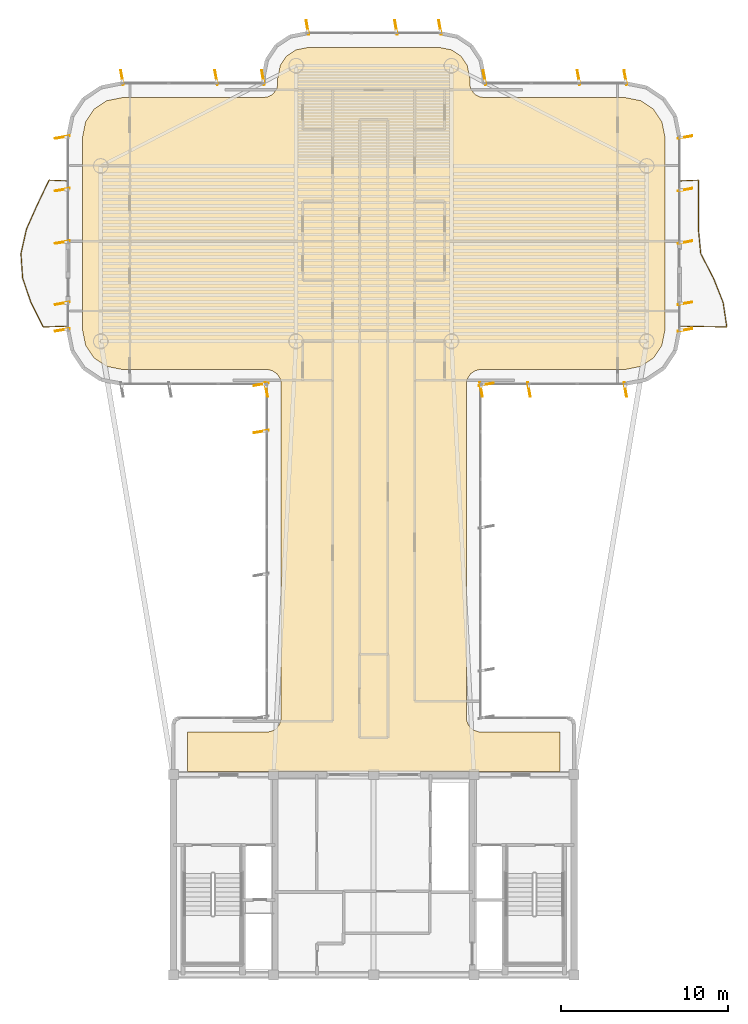
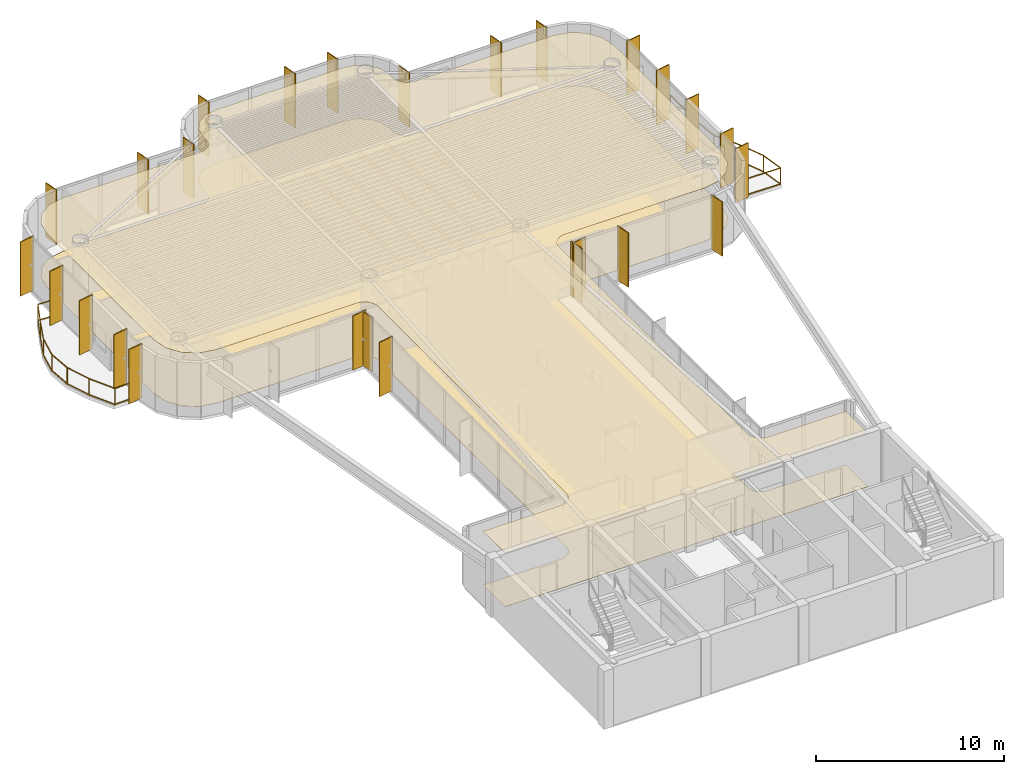
# One storey, part 16 of 16: 26 shading devices, 2 coverings, 2 railings.
"""IFC4 building model written with IfcOpenShell, lengths in metres."""

from ifc_helpers import new_model, si_unit, direction, frame, origin, origin_2d, place, context, subcontext, project, spatial, polyline, rectangle, outline, extrude, source, transform, mapped, material, layer, layer_set, material_profile, profile_set, type_object, element, save


model = new_model("IFC4")

# Units and contexts
model_context = context("Model", 3, precision=1e-05, world=origin(), true_north=direction((0.0, 1.0)))
body_context = subcontext(model_context, "Body", "Model", "MODEL_VIEW")
ifc_project = project(units=[si_unit("LENGTHUNIT", "METRE"), si_unit("AREAUNIT", "SQUARE_METRE"), si_unit("VOLUMEUNIT", "CUBIC_METRE"), si_unit("PLANEANGLEUNIT", "RADIAN"), si_unit("MASSUNIT", "GRAM", prefix="KILO")], contexts=[model_context])

# Site, building, storey
site_placement = place(None, origin())
site = spatial("IfcSite", under=ifc_project, at=site_placement, CompositionType="ELEMENT")
building_placement = place(site_placement, origin())
building = spatial("IfcBuilding", under=site, at=building_placement, Name="Brelvock Crest Care Tower", CompositionType="ELEMENT")
storey_placement = place(building_placement, frame((0.0, 0.0, 226.800048828125)))
storey = spatial("IfcBuildingStorey", under=building, at=storey_placement, Name="L57", CompositionType="ELEMENT", Elevation=226.800048828125)

# Coverings
ifc_material_1 = material(Name="Mineral Fibre Acoustic Ceiling Tile", Category="gypsum")
ifc_layer_1 = layer(ifc_material_1, 0.02490234375, Name="COV-CLG1")
ifc_layer_set_1 = layer_set([ifc_layer_1], Name="Mineral Fibre Acoustic Ceiling Tile")
covering_type_1 = type_object("IfcCoveringType", Name="COV-CLG1", PredefinedType="CEILING", material=ifc_layer_set_1)
covering_1_placement = place(storey_placement, frame((0.0, 0.0, 3.474853515625)))
element("IfcCovering", 1, at=covering_1_placement, inside=storey, type_object=covering_type_1, Name="L57 Acoustic Suspended Ceiling 1", PredefinedType="CEILING", context=body_context, shape_type="SweptSolid", body=[
    extrude(outline(polyline([(24.85009765625, 18.199951171875), (47.14990234375, 18.199951171875), (47.14990234375, 20.550048828125), (42.316650390625, 20.55419921875), (41.999267578125, 20.650390625), (41.799072265625, 20.799072265625), (41.650390625, 20.999267578125), (41.56640625, 21.234130859375), (41.55419921875, 41.4833984375), (41.61474609375, 41.725341796875), (41.799072265625, 42.0009765625), (42.07470703125, 42.185302734375), (42.316650390625, 42.245849609375), (51.016357421875, 42.25), (51.992919921875, 42.4443359375), (52.75, 42.9501953125), (53.255615234375, 43.70703125), (53.449951171875, 44.68359375), (53.449951171875, 56.1162109375), (53.255615234375, 57.093017578125), (52.75, 57.849853515625), (51.992919921875, 58.355712890625), (51.016357421875, 58.550048828125), (42.60009765625, 58.550048828125), (42.353271484375, 58.586669921875), (42.127685546875, 58.693359375), (41.9990234375, 58.799072265625), (41.814697265625, 59.07470703125), (41.754150390625, 59.316650390625), (41.75, 59.71630859375), (41.601318359375, 60.46337890625), (41.2255859375, 61.025634765625), (40.663330078125, 61.4013671875), (39.916259765625, 61.550048828125), (32.083740234375, 61.550048828125), (31.336669921875, 61.4013671875), (30.7744140625, 61.025634765625), (30.398681640625, 60.46337890625), (30.25, 59.71630859375), (30.245849609375, 59.316650390625), (30.185302734375, 59.07470703125), (30.0009765625, 58.799072265625), (29.872314453125, 58.693359375), (29.646728515625, 58.586669921875), (29.39990234375, 58.550048828125), (20.983642578125, 58.550048828125), (20.007080078125, 58.355712890625), (19.25, 57.849853515625), (18.744384765625, 57.093017578125), (18.550048828125, 56.1162109375), (18.550048828125, 44.68359375), (18.744384765625, 43.70703125), (19.25, 42.9501953125), (20.007080078125, 42.4443359375), (20.983642578125, 42.25), (29.683349609375, 42.245849609375), (29.92529296875, 42.185302734375), (30.200927734375, 42.0009765625), (30.349609375, 41.80078125), (30.43359375, 41.56591796875), (30.449951171875, 21.39990234375), (30.413330078125, 21.1533203125), (30.306640625, 20.927734375), (30.13916015625, 20.742919921875), (29.92529296875, 20.61474609375), (29.683349609375, 20.55419921875), (24.85009765625, 20.550048828125), (24.85009765625, 18.199951171875)])), origin(), (0.0, 0.0, 1.0), 0.025146484375),
])
ifc_material_2 = material(Name="Slip-Resistant Acoustic Vinyl Flooring", Category="finish")
ifc_layer_2 = layer(ifc_material_2, 0.014892578125, Name="COV-FLR1")
ifc_layer_set_2 = layer_set([ifc_layer_2], Name="Slip-Resistant Acoustic Vinyl Flooring")
covering_type_2 = type_object("IfcCoveringType", Name="COV-FLR1", PredefinedType="FLOORING", material=ifc_layer_set_2)
covering_2_placement = place(storey_placement, origin())
element("IfcCovering", 2, at=covering_2_placement, inside=storey, type_object=covering_type_2, Name="L57 Slip-Resistant Acoustic Flooring 1", PredefinedType="FLOORING", context=body_context, shape_type="SweptSolid", body=[
    extrude(outline(polyline([(24.85009765625, 18.199951171875), (47.14990234375, 18.199951171875), (47.14990234375, 20.550048828125), (42.316650390625, 20.55419921875), (41.999267578125, 20.650390625), (41.799072265625, 20.799072265625), (41.650390625, 20.999267578125), (41.56640625, 21.234130859375), (41.55419921875, 41.4833984375), (41.61474609375, 41.725341796875), (41.799072265625, 42.0009765625), (42.07470703125, 42.185302734375), (42.316650390625, 42.245849609375), (51.016357421875, 42.25), (51.992919921875, 42.4443359375), (52.75, 42.9501953125), (53.255615234375, 43.70703125), (53.449951171875, 44.68359375), (53.449951171875, 56.1162109375), (53.255615234375, 57.093017578125), (52.75, 57.849853515625), (51.992919921875, 58.355712890625), (51.016357421875, 58.550048828125), (42.60009765625, 58.550048828125), (42.353271484375, 58.586669921875), (42.127685546875, 58.693359375), (41.9990234375, 58.799072265625), (41.814697265625, 59.07470703125), (41.754150390625, 59.316650390625), (41.75, 59.71630859375), (41.601318359375, 60.46337890625), (41.2255859375, 61.025634765625), (40.663330078125, 61.4013671875), (39.916259765625, 61.550048828125), (32.083740234375, 61.550048828125), (31.336669921875, 61.4013671875), (30.7744140625, 61.025634765625), (30.398681640625, 60.46337890625), (30.25, 59.71630859375), (30.245849609375, 59.316650390625), (30.185302734375, 59.07470703125), (30.0009765625, 58.799072265625), (29.872314453125, 58.693359375), (29.646728515625, 58.586669921875), (29.39990234375, 58.550048828125), (20.983642578125, 58.550048828125), (20.007080078125, 58.355712890625), (19.25, 57.849853515625), (18.744384765625, 57.093017578125), (18.550048828125, 56.1162109375), (18.550048828125, 44.68359375), (18.744384765625, 43.70703125), (19.25, 42.9501953125), (20.007080078125, 42.4443359375), (20.983642578125, 42.25), (29.683349609375, 42.245849609375), (29.92529296875, 42.185302734375), (30.200927734375, 42.0009765625), (30.349609375, 41.80078125), (30.43359375, 41.56591796875), (30.449951171875, 21.39990234375), (30.413330078125, 21.1533203125), (30.306640625, 20.927734375), (30.13916015625, 20.742919921875), (29.92529296875, 20.61474609375), (29.683349609375, 20.55419921875), (24.85009765625, 20.550048828125), (24.85009765625, 18.199951171875)])), origin(), (0.0, 0.0, 1.0), 0.014892578125),
])

# Railings
ifc_material_3 = material(Name="Dark Glass Double Glazed Low-E", Category="glass")
ifc_layer_3 = layer(ifc_material_3, 0.06005859375, Name="RL-BAL1")
ifc_layer_set_3 = layer_set([ifc_layer_3], Name="Dark Glass Double Glazed Low-E")
railing_type = type_object("IfcRailingType", Name="RL-BAL1", PredefinedType="BALUSTRADE", material=ifc_layer_set_3)
railing_1_placement = place(storey_placement, frame((17.659912109375, 44.85009765625, 0.00390625)))
element("IfcRailing", 3, at=railing_1_placement, inside=storey, type_object=railing_type, Name="L57 Safety Balustrade WB-W", PredefinedType="BALUSTRADE", context=body_context, shape_type="SweptSolid", body=[
    extrude(rectangle(XDim=0.048095703125, YDim=0.048095703125, at=origin_2d()), frame((-0.001953125, 0.0, 1.09619140625), z_axis=(-0.999404799616, -0.034497050669, 0.0), x_axis=(0.034497050669, -0.999404799616, 0.0)), (0.0, 0.0, 1.0), 1.44677734375),
    extrude(rectangle(XDim=0.048095703125, YDim=0.048095703125, at=origin_2d()), frame((-0.001953125, 0.0, 0.054931640625), z_axis=(-0.999404799616, -0.034497050669, 0.0), x_axis=(0.034497050669, -0.999404799616, 0.0)), (0.0, 0.0, 1.0), 1.44677734375),
    extrude(rectangle(XDim=0.048095703125, YDim=0.048095703125, at=origin_2d()), frame((-1.450927734375, -0.04833984375, 1.09619140625), z_axis=(-0.448225238773, 0.893920653821, 0.0), x_axis=(-0.893920653821, -0.448225238773, 0.0)), (0.0, 0.0, 1.0), 1.636474609375),
    extrude(rectangle(XDim=0.048095703125, YDim=0.048095703125, at=origin_2d()), frame((-1.450927734375, -0.04833984375, 0.054931640625), z_axis=(-0.448225238773, 0.893920653821, 0.0), x_axis=(-0.893920653821, -0.448225238773, 0.0)), (0.0, 0.0, 1.0), 1.636474609375),
    extrude(rectangle(XDim=0.048095703125, YDim=0.048095703125, at=origin_2d()), frame((-2.18603515625, 1.41845703125, 1.09619140625), z_axis=(-0.321377111723, 0.946951293394, 0.0), x_axis=(-0.946951293394, -0.321377111723, 0.0)), (0.0, 0.0, 1.0), 1.544921875),
    extrude(rectangle(XDim=0.048095703125, YDim=0.048095703125, at=origin_2d()), frame((-2.18603515625, 1.41845703125, 0.054931640625), z_axis=(-0.321377111723, 0.946951293394, 0.0), x_axis=(-0.946951293394, -0.321377111723, 0.0)), (0.0, 0.0, 1.0), 1.544921875),
    extrude(rectangle(XDim=0.048095703125, YDim=0.048095703125, at=origin_2d()), frame((-2.683349609375, 2.88525390625, 1.09619140625), z_axis=(-0.068095275072, 0.997678822825, 0.0), x_axis=(-0.997678822825, -0.068095275072, 0.0)), (0.0, 0.0, 1.0), 1.466064453125),
    extrude(rectangle(XDim=0.048095703125, YDim=0.048095703125, at=origin_2d()), frame((-2.683349609375, 2.88525390625, 0.054931640625), z_axis=(-0.068095275072, 0.997678822825, 0.0), x_axis=(-0.997678822825, -0.068095275072, 0.0)), (0.0, 0.0, 1.0), 1.466064453125),
    extrude(rectangle(XDim=0.048095703125, YDim=0.048095703125, at=origin_2d()), frame((-2.78271484375, 4.351806640625, 1.09619140625), z_axis=(0.219543106889, 0.975602800435, 0.0), x_axis=(-0.975602800435, 0.219543106889, 0.0)), (0.0, 0.0, 1.0), 1.49951171875),
    extrude(rectangle(XDim=0.048095703125, YDim=0.048095703125, at=origin_2d()), frame((-2.78271484375, 4.351806640625, 0.054931640625), z_axis=(0.219543106889, 0.975602800435, 0.0), x_axis=(-0.975602800435, 0.219543106889, 0.0)), (0.0, 0.0, 1.0), 1.49951171875),
    extrude(rectangle(XDim=0.048095703125, YDim=0.048095703125, at=origin_2d()), frame((-2.452392578125, 5.818359375, 1.09619140625), z_axis=(0.407182153329, 0.913346973505, 0.0), x_axis=(-0.913346973505, 0.407182153329, 0.0)), (0.0, 0.0, 1.0), 1.601806640625),
    extrude(rectangle(XDim=0.048095703125, YDim=0.048095703125, at=origin_2d()), frame((-2.452392578125, 5.818359375, 0.054931640625), z_axis=(0.407182153329, 0.913346973505, 0.0), x_axis=(-0.913346973505, 0.407182153329, 0.0)), (0.0, 0.0, 1.0), 1.601806640625),
    extrude(rectangle(XDim=0.048095703125, YDim=0.048095703125, at=origin_2d()), frame((-1.79833984375, 7.284912109375, 1.09619140625), z_axis=(0.430429214624, 0.902624335589, 0.0), x_axis=(-0.902624335589, 0.430429214624, 0.0)), (0.0, 0.0, 1.0), 1.62109375),
    extrude(rectangle(XDim=0.048095703125, YDim=0.048095703125, at=origin_2d()), frame((-1.79833984375, 7.284912109375, 0.054931640625), z_axis=(0.430429214624, 0.902624335589, 0.0), x_axis=(-0.902624335589, 0.430429214624, 0.0)), (0.0, 0.0, 1.0), 1.62109375),
    extrude(rectangle(XDim=0.048095703125, YDim=0.048095703125, at=origin_2d()), frame((-1.097900390625, 8.75, 1.09619140625), z_axis=(0.998966252902, -0.045457953795, 0.0), x_axis=(0.045457953795, 0.998966252902, 0.0)), (0.0, 0.0, 1.0), 1.096923828125),
    extrude(rectangle(XDim=0.048095703125, YDim=0.048095703125, at=origin_2d()), frame((-1.097900390625, 8.75, 0.054931640625), z_axis=(0.998966252902, -0.045457953795, 0.0), x_axis=(0.045457953795, 0.998966252902, 0.0)), (0.0, 0.0, 1.0), 1.096923828125),
    extrude(rectangle(XDim=0.0419921875, YDim=0.0419921875, at=origin_2d()), origin(), (0.0, 0.0, 1.0), 1.070068359375),
    extrude(rectangle(XDim=0.0419921875, YDim=0.0419921875, at=origin_2d()), frame((-1.449951171875, -0.050048828125, 0.0)), (0.0, 0.0, 1.0), 1.070068359375),
    extrude(rectangle(XDim=0.0419921875, YDim=0.0419921875, at=origin_2d()), frame((-2.185302734375, 1.41650390625, 0.0)), (0.0, 0.0, 1.0), 1.070068359375),
    extrude(rectangle(XDim=0.0419921875, YDim=0.0419921875, at=origin_2d()), frame((-2.68310546875, 2.88330078125, 0.0)), (0.0, 0.0, 1.0), 1.070068359375),
    extrude(rectangle(XDim=0.0419921875, YDim=0.0419921875, at=origin_2d()), frame((-2.783203125, 4.349853515625, 0.0)), (0.0, 0.0, 1.0), 1.070068359375),
    extrude(rectangle(XDim=0.0419921875, YDim=0.0419921875, at=origin_2d()), frame((-2.453125, 5.816650390625, 0.0)), (0.0, 0.0, 1.0), 1.070068359375),
    extrude(rectangle(XDim=0.0419921875, YDim=0.0419921875, at=origin_2d()), frame((-1.79931640625, 7.283203125, 0.0)), (0.0, 0.0, 1.0), 1.070068359375),
    extrude(rectangle(XDim=0.0419921875, YDim=0.0419921875, at=origin_2d()), frame((-1.099853515625, 8.75, 0.0)), (0.0, 0.0, 1.0), 1.070068359375),
    extrude(rectangle(XDim=0.0419921875, YDim=0.0419921875, at=origin_2d()), frame((0.0, 8.699951171875, 0.0)), (0.0, 0.0, 1.0), 1.070068359375),
])
railing_2_placement = place(storey_placement, frame((54.340087890625, 44.85009765625, 0.00390625)))
element("IfcRailing", 4, at=railing_2_placement, inside=storey, type_object=railing_type, Name="L57 Safety Balustrade WB-E", PredefinedType="BALUSTRADE", context=body_context, shape_type="SweptSolid", body=[
    extrude(rectangle(XDim=0.048095703125, YDim=0.048095703125, at=origin_2d()), frame((0.001953125, 0.0, 1.09619140625), z_axis=(0.99984026566, -0.017872973008, 0.0), x_axis=(0.017872973008, 0.99984026566, 0.0)), (0.0, 0.0, 1.0), 2.796142578125),
    extrude(rectangle(XDim=0.048095703125, YDim=0.048095703125, at=origin_2d()), frame((0.001953125, 0.0, 0.054931640625), z_axis=(0.99984026566, -0.017872973008, 0.0), x_axis=(0.017872973008, 0.99984026566, 0.0)), (0.0, 0.0, 1.0), 2.796142578125),
    extrude(rectangle(XDim=0.048095703125, YDim=0.048095703125, at=origin_2d()), frame((2.799560546875, -0.048095703125, 1.09619140625), z_axis=(-0.146882849114, 0.989153895325, 0.0), x_axis=(-0.989153895325, -0.146882849114, 0.0)), (0.0, 0.0, 1.0), 1.478515625),
    extrude(rectangle(XDim=0.048095703125, YDim=0.048095703125, at=origin_2d()), frame((2.799560546875, -0.048095703125, 0.054931640625), z_axis=(-0.146882849114, 0.989153895325, 0.0), x_axis=(-0.989153895325, -0.146882849114, 0.0)), (0.0, 0.0, 1.0), 1.478515625),
    extrude(rectangle(XDim=0.048095703125, YDim=0.048095703125, at=origin_2d()), frame((2.581298828125, 1.41845703125, 1.09619140625), z_axis=(-0.36936302047, 0.929285187179, 0.0), x_axis=(-0.929285187179, -0.36936302047, 0.0)), (0.0, 0.0, 1.0), 1.574462890625),
    extrude(rectangle(XDim=0.048095703125, YDim=0.048095703125, at=origin_2d()), frame((2.581298828125, 1.41845703125, 0.054931640625), z_axis=(-0.36936302047, 0.929285187179, 0.0), x_axis=(-0.929285187179, -0.36936302047, 0.0)), (0.0, 0.0, 1.0), 1.574462890625),
    extrude(rectangle(XDim=0.048095703125, YDim=0.048095703125, at=origin_2d()), frame((1.998046875, 2.885009765625, 1.09619140625), z_axis=(-0.460230882472, 0.887799264935, 0.0), x_axis=(-0.887799264935, -0.460230882472, 0.0)), (0.0, 0.0, 1.0), 1.64794921875),
    extrude(rectangle(XDim=0.048095703125, YDim=0.048095703125, at=origin_2d()), frame((1.998046875, 2.885009765625, 0.054931640625), z_axis=(-0.460230882472, 0.887799264935, 0.0), x_axis=(-0.887799264935, -0.460230882472, 0.0)), (0.0, 0.0, 1.0), 1.64794921875),
    extrude(rectangle(XDim=0.048095703125, YDim=0.048095703125, at=origin_2d()), frame((1.238525390625, 4.351806640625, 1.09619140625), z_axis=(-0.094285159279, 0.99554523189, 0.0), x_axis=(-0.99554523189, -0.094285159279, 0.0)), (0.0, 0.0, 1.0), 1.469482421875),
    extrude(rectangle(XDim=0.048095703125, YDim=0.048095703125, at=origin_2d()), frame((1.238525390625, 4.351806640625, 0.054931640625), z_axis=(-0.094285159279, 0.99554523189, 0.0), x_axis=(-0.99554523189, -0.094285159279, 0.0)), (0.0, 0.0, 1.0), 1.469482421875),
    extrude(rectangle(XDim=0.048095703125, YDim=0.048095703125, at=origin_2d()), frame((1.099853515625, 5.818603515625, 1.09619140625), z_axis=(0.0, 1.0, 0.0), x_axis=(-1.0, 0.0, 0.0)), (0.0, 0.0, 1.0), 2.929443359375),
    extrude(rectangle(XDim=0.048095703125, YDim=0.048095703125, at=origin_2d()), frame((1.099853515625, 5.818603515625, 0.054931640625), z_axis=(0.0, 1.0, 0.0), x_axis=(-1.0, 0.0, 0.0)), (0.0, 0.0, 1.0), 2.929443359375),
    extrude(rectangle(XDim=0.048095703125, YDim=0.048095703125, at=origin_2d()), frame((1.097900390625, 8.75, 1.09619140625), z_axis=(-0.998966252902, -0.045457953795, 0.0), x_axis=(0.045457953795, -0.998966252902, 0.0)), (0.0, 0.0, 1.0), 1.096923828125),
    extrude(rectangle(XDim=0.048095703125, YDim=0.048095703125, at=origin_2d()), frame((1.097900390625, 8.75, 0.054931640625), z_axis=(-0.998966252902, -0.045457953795, 0.0), x_axis=(0.045457953795, -0.998966252902, 0.0)), (0.0, 0.0, 1.0), 1.096923828125),
    extrude(rectangle(XDim=0.0419921875, YDim=0.0419921875, at=origin_2d()), origin(), (0.0, 0.0, 1.0), 1.070068359375),
    extrude(rectangle(XDim=0.0419921875, YDim=0.0419921875, at=origin_2d()), frame((2.7998046875, -0.050048828125, 0.0)), (0.0, 0.0, 1.0), 1.070068359375),
    extrude(rectangle(XDim=0.0419921875, YDim=0.0419921875, at=origin_2d()), frame((2.58203125, 1.41650390625, 0.0)), (0.0, 0.0, 1.0), 1.070068359375),
    extrude(rectangle(XDim=0.0419921875, YDim=0.0419921875, at=origin_2d()), frame((1.9990234375, 2.88330078125, 0.0)), (0.0, 0.0, 1.0), 1.070068359375),
    extrude(rectangle(XDim=0.0419921875, YDim=0.0419921875, at=origin_2d()), frame((1.23876953125, 4.349853515625, 0.0)), (0.0, 0.0, 1.0), 1.070068359375),
    extrude(rectangle(XDim=0.0419921875, YDim=0.0419921875, at=origin_2d()), frame((1.099853515625, 5.816650390625, 0.0)), (0.0, 0.0, 1.0), 1.070068359375),
    extrude(rectangle(XDim=0.0419921875, YDim=0.0419921875, at=origin_2d()), frame((1.099853515625, 8.75, 0.0)), (0.0, 0.0, 1.0), 1.070068359375),
    extrude(rectangle(XDim=0.0419921875, YDim=0.0419921875, at=origin_2d()), frame((0.0, 8.699951171875, 0.0)), (0.0, 0.0, 1.0), 1.070068359375),
])

# Shading devices
ifc_material_4 = material(Name="Aluminium 6063-T6", Category="aluminium")
ifc_material_profile = material_profile(ifc_material_4, rectangle(XDim=0.054931640625, YDim=0.89990234375, at=origin_2d()), Name="FIN55x900")
ifc_profile_set = profile_set([ifc_material_profile], Name="Aluminium 6063-T6")
shading_device_type = type_object("IfcShadingDeviceType", Name="SHD-FIN1", PredefinedType="USERDEFINED", material=ifc_profile_set)
shared_shape = source(origin(), body_context, "Body", "SweptSolid", [
    extrude(rectangle(XDim=0.054931640625, YDim=0.89990234375, at=origin_2d()), origin(), (0.0, 0.0, 1.0), 3.530029296875),
])
for number, where, z_axis, x_axis, name in (
    (5, (29.260009765625, 38.54296875, 0.0), (0.0, 0.0, 1.0), (-0.173648177667, 0.984807753012, 0.0), "L57 Vertical Sunshade Fin E11-07"),
    (6, (29.260009765625, 41.3701171875, 0.0), (0.0, 0.0, 1.0), (-0.173648177667, 0.984807753012, 0.0), "L57 Vertical Sunshade Fin E11-08"),
    (7, (29.570068359375, 41.06005859375, 0.0), (0.0, 0.0, 1.0), (-0.984807753012, -0.173648177667, 0.0), "L57 Vertical Sunshade Fin E12-01"),
    (8, (17.360107421875, 44.6298828125, 0.0), (0.0, 0.0, 1.0), (-0.173648177667, 0.984807753012, 0.0), "L57 Vertical Sunshade Fin E17A-01"),
    (9, (17.360107421875, 46.219970703125, 0.0), (0.0, 0.0, 1.0), (-0.173648177667, 0.984807753012, 0.0), "L57 Vertical Sunshade Fin E17A-02"),
    (10, (17.360107421875, 49.8798828125, 0.0), (0.0, 0.0, 1.0), (-0.173648177667, 0.984807753012, 0.0), "L57 Vertical Sunshade Fin E17B-01"),
    (11, (17.360107421875, 53.02490234375, 0.0), (0.0, 0.0, 1.0), (-0.173648177667, 0.984807753012, 0.0), "L57 Vertical Sunshade Fin E17B-02"),
    (12, (17.360107421875, 56.169921875, 0.0), (0.0, 0.0, 1.0), (-0.173648177667, 0.984807753012, 0.0), "L57 Vertical Sunshade Fin E17B-03"),
    (13, (20.929931640625, 59.739990234375, 0.0), (0.0, 0.0, 1.0), (0.984807753012, 0.173648177667, 0.0), "L57 Vertical Sunshade Fin E22-01"),
    (14, (26.566650390625, 59.739990234375, 0.0), (0.0, 0.0, 1.0), (0.984807753012, 0.173648177667, 0.0), "L57 Vertical Sunshade Fin E22-03"),
    (15, (29.3701171875, 59.739990234375, 0.0), (0.0, 0.0, 1.0), (0.984807753012, 0.173648177667, 0.0), "L57 Vertical Sunshade Fin E22-04"),
    (16, (32.030029296875, 62.739990234375, 0.0), (0.0, 0.0, 1.0), (0.984807753012, 0.173648177667, 0.0), "L57 Vertical Sunshade Fin E28-01"),
    (17, (37.333251953125, 62.739990234375, 0.0), (0.0, 0.0, 1.0), (0.984807753012, 0.173648177667, 0.0), "L57 Vertical Sunshade Fin E28-03"),
    (18, (39.969970703125, 62.739990234375, 0.0), (0.0, 0.0, 1.0), (0.984807753012, 0.173648177667, 0.0), "L57 Vertical Sunshade Fin E28-04"),
    (19, (42.6298828125, 59.739990234375, 0.0), (0.0, 0.0, 1.0), (0.984807753012, 0.173648177667, 0.0), "L57 Vertical Sunshade Fin E34-01"),
    (20, (48.2666015625, 59.739990234375, 0.0), (0.0, 0.0, 1.0), (0.984807753012, 0.173648177667, 0.0), "L57 Vertical Sunshade Fin E34-03"),
    (21, (51.070068359375, 59.739990234375, 0.0), (0.0, 0.0, 1.0), (0.984807753012, 0.173648177667, 0.0), "L57 Vertical Sunshade Fin E34-04"),
    (22, (54.639892578125, 56.169921875, 0.0), (0.0, 0.0, 1.0), (0.173648177667, -0.984807753012, 0.0), "L57 Vertical Sunshade Fin E39A-01"),
    (23, (54.639892578125, 53.02490234375, 0.0), (0.0, 0.0, 1.0), (0.173648177667, -0.984807753012, 0.0), "L57 Vertical Sunshade Fin E39A-02"),
    (24, (54.639892578125, 49.8798828125, 0.0), (0.0, 0.0, 1.0), (0.173648177667, -0.984807753012, 0.0), "L57 Vertical Sunshade Fin E39A-03"),
    (25, (54.639892578125, 46.219970703125, 0.0), (0.0, 0.0, 1.0), (0.173648177667, -0.984807753012, 0.0), "L57 Vertical Sunshade Fin E39B-01"),
    (26, (54.639892578125, 44.6298828125, 0.0), (0.0, 0.0, 1.0), (0.173648177667, -0.984807753012, 0.0), "L57 Vertical Sunshade Fin E39B-02"),
    (27, (51.070068359375, 41.06005859375, 0.0), (0.0, 0.0, 1.0), (-0.984807753012, -0.173648177667, 0.0), "L57 Vertical Sunshade Fin E44-01"),
    (28, (45.300048828125, 41.06005859375, 0.0), (0.0, 0.0, 1.0), (-0.984807753012, -0.173648177667, 0.0), "L57 Vertical Sunshade Fin E44-03"),
    (29, (42.429931640625, 41.06005859375, 0.0), (0.0, 0.0, 1.0), (-0.984807753012, -0.173648177667, 0.0), "L57 Vertical Sunshade Fin E44-04"),
    (30, (42.739990234375, 41.3701171875, 0.0), (0.0, 0.0, 1.0), (0.173648177667, -0.984807753012, 0.0), "L57 Vertical Sunshade Fin E45-01"),
):
    element("IfcShadingDevice", number, at=place(storey_placement, frame(where, z_axis=z_axis, x_axis=x_axis)), inside=storey, type_object=shading_device_type, Name=name, ObjectType="FIN", PredefinedType="USERDEFINED", context=body_context, shape_type="MappedRepresentation", body=[
        mapped(shared_shape, transform((0.0, 0.0, 0.0), x_axis=(1.0, 0.0, 0.0), y_axis=(0.0, 1.0, 0.0), z_axis=(0.0, 0.0, 1.0), scale=1.0)),
    ])

save(model, "model.ifc")
